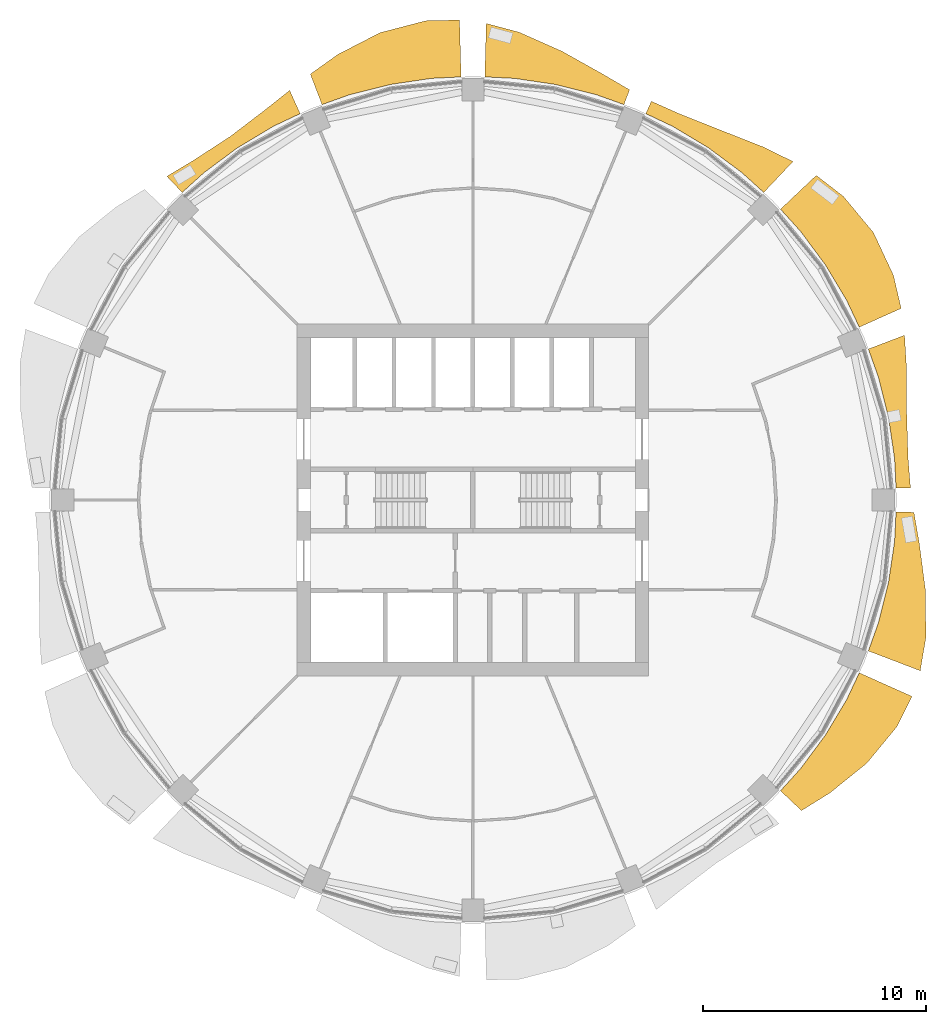
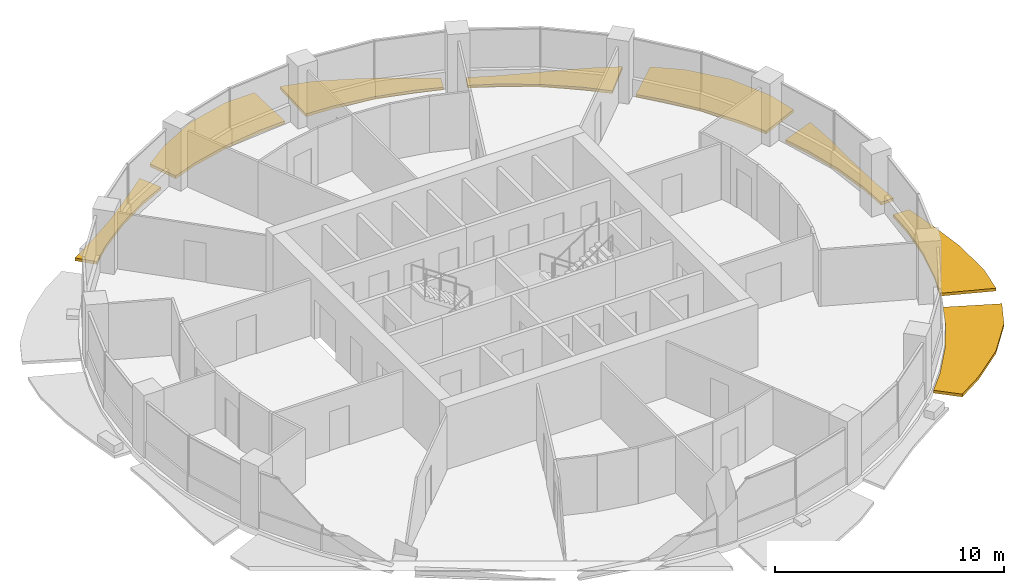
# One storey, part 14 of 15: 8 shading devices.
"""IFC4 building model written with IfcOpenShell, lengths in metres."""

from ifc_helpers import new_model, si_unit, direction, frame, origin, place, context, subcontext, project, spatial, polyline, outline, extrude, material, type_object, element, save


model = new_model("IFC4")

# Units and contexts
model_context = context("Model", 3, precision=1e-05, world=origin(), true_north=direction((0.0, 1.0)))
body_context = subcontext(model_context, "Body", "Model", "MODEL_VIEW")
ifc_project = project(units=[si_unit("LENGTHUNIT", "METRE"), si_unit("AREAUNIT", "SQUARE_METRE"), si_unit("VOLUMEUNIT", "CUBIC_METRE"), si_unit("PLANEANGLEUNIT", "RADIAN"), si_unit("MASSUNIT", "GRAM", prefix="KILO")], contexts=[model_context])

# Site, building, storey
site_placement = place(None, origin())
site = spatial("IfcSite", under=ifc_project, at=site_placement, CompositionType="ELEMENT")
building_placement = place(site_placement, origin())
building = spatial("IfcBuilding", under=site, at=building_placement, Name="Polderwave Tower", CompositionType="ELEMENT")
storey_placement = place(building_placement, frame((0.0, 0.0, 137.699951171875)))
storey = spatial("IfcBuildingStorey", under=building, at=storey_placement, Name="L36", CompositionType="ELEMENT", Elevation=137.699951171875)

# Shading devices
ifc_material = material(Name="Terracotta", Category="masonry")
shading_device_type = type_object("IfcShadingDeviceType", Name="Terracotta sunshade band", PredefinedType="USERDEFINED", material=ifc_material)
shading_device_1_placement = place(storey_placement, frame((0.0, 0.0, -0.349853515625)))
element("IfcShadingDevice", 1, at=shading_device_1_placement, inside=storey, type_object=shading_device_type, Name="Sunshade band L36 1", ObjectType="SUNSHADE", PredefinedType="USERDEFINED", context=body_context, shape_type="SweptSolid", body=[
    extrude(outline(polyline([(18.9541015625, 0.530029296875), (18.888671875, 1.8603515625), (18.615234375, 3.702880859375), (18.16259765625, 5.509521484375), (17.714111328125, 6.763671875), (19.336669921875, 7.38330078125), (19.42578125, 5.892822265625), (19.43310546875, 3.865478515625), (19.49169921875, 1.919921875), (19.60205078125, 0.548095703125), (18.9541015625, 0.530029296875)])), origin(), (0.0, 0.0, 1.0), 0.14990234375),
])
shading_device_2_placement = place(storey_placement, frame((0.0, 0.0, -0.349853515625)))
element("IfcShadingDevice", 2, at=shading_device_2_placement, inside=storey, type_object=shading_device_type, Name="Sunshade band L36 2", ObjectType="SUNSHADE", PredefinedType="USERDEFINED", context=body_context, shape_type="SweptSolid", body=[
    extrude(outline(polyline([(17.308349609375, 7.7431640625), (16.739013671875, 8.947021484375), (15.78125, 10.544677734375), (14.671630859375, 12.040771484375), (13.77734375, 13.027587890625), (15.37841796875, 14.541748046875), (16.58642578125, 13.612060546875), (17.93994140625, 11.987060546875), (18.837646484375, 10.06884765625), (19.1845703125, 8.58251953125), (17.308349609375, 7.7431640625)])), origin(), (0.0, 0.0, 1.0), 0.14990234375),
])
shading_device_3_placement = place(storey_placement, frame((0.0, 0.0, -0.349853515625)))
element("IfcShadingDevice", 3, at=shading_device_3_placement, inside=storey, type_object=shading_device_type, Name="Sunshade band L36 3", ObjectType="SUNSHADE", PredefinedType="USERDEFINED", context=body_context, shape_type="SweptSolid", body=[
    extrude(outline(polyline([(13.027587890625, 13.77734375), (12.040771484375, 14.671630859375), (10.544677734375, 15.78125), (8.947021484375, 16.739013671875), (7.7431640625, 17.308349609375), (7.991943359375, 17.864501953125), (9.248779296875, 17.30322265625), (11.07666015625, 16.577392578125), (12.98681640625, 15.82470703125), (14.338134765625, 15.1630859375), (13.027587890625, 13.77734375)])), origin(), (0.0, 0.0, 1.0), 0.14990234375),
])
shading_device_4_placement = place(storey_placement, frame((0.0, 0.0, -0.349853515625)))
element("IfcShadingDevice", 4, at=shading_device_4_placement, inside=storey, type_object=shading_device_type, Name="Sunshade band L36 4", ObjectType="SUNSHADE", PredefinedType="USERDEFINED", context=body_context, shape_type="SweptSolid", body=[
    extrude(outline(polyline([(6.763671875, 17.714111328125), (5.509521484375, 18.16259765625), (3.702880859375, 18.615234375), (1.8603515625, 18.888671875), (0.530029296875, 18.9541015625), (0.596923828125, 21.350341796875), (2.064208984375, 20.959228515625), (3.997802734375, 20.098876953125), (5.792236328125, 19.0947265625), (7.016845703125, 18.377197265625), (6.763671875, 17.714111328125)])), origin(), (0.0, 0.0, 1.0), 0.14990234375),
])
shading_device_5_placement = place(storey_placement, frame((0.0, 0.0, -0.349853515625)))
element("IfcShadingDevice", 5, at=shading_device_5_placement, inside=storey, type_object=shading_device_type, Name="Sunshade band L36 5", ObjectType="SUNSHADE", PredefinedType="USERDEFINED", context=body_context, shape_type="SweptSolid", body=[
    extrude(outline(polyline([(-0.530029296875, 18.9541015625), (-1.8603515625, 18.888671875), (-3.702880859375, 18.615234375), (-5.509521484375, 18.16259765625), (-6.763671875, 17.714111328125), (-7.28564453125, 19.080810546875), (-6.055419921875, 19.9619140625), (-4.164306640625, 20.93603515625), (-2.114501953125, 21.47021484375), (-0.601318359375, 21.50439453125), (-0.530029296875, 18.9541015625)])), origin(), (0.0, 0.0, 1.0), 0.14990234375),
])
shading_device_6_placement = place(storey_placement, frame((0.0, 0.0, -0.349853515625)))
element("IfcShadingDevice", 6, at=shading_device_6_placement, inside=storey, type_object=shading_device_type, Name="Sunshade band L36 6", ObjectType="SUNSHADE", PredefinedType="USERDEFINED", context=body_context, shape_type="SweptSolid", body=[
    extrude(outline(polyline([(-7.7431640625, 17.308349609375), (-8.947021484375, 16.739013671875), (-10.544677734375, 15.78125), (-12.040771484375, 14.671630859375), (-13.027587890625, 13.77734375), (-13.71240234375, 14.501220703125), (-12.49951171875, 15.230712890625), (-10.880126953125, 16.283447265625), (-9.333740234375, 17.46240234375), (-8.21044921875, 18.35302734375), (-7.7431640625, 17.308349609375)])), origin(), (0.0, 0.0, 1.0), 0.14990234375),
])
shading_device_7_placement = place(storey_placement, frame((0.0, 0.0, -0.349853515625)))
element("IfcShadingDevice", 7, at=shading_device_7_placement, inside=storey, type_object=shading_device_type, Name="Sunshade band L36 15", ObjectType="SUNSHADE", PredefinedType="USERDEFINED", context=body_context, shape_type="SweptSolid", body=[
    extrude(outline(polyline([(13.77734375, -13.027587890625), (14.671630859375, -12.040771484375), (15.78125, -10.544677734375), (16.739013671875, -8.947021484375), (17.308349609375, -7.7431640625), (19.673095703125, -8.80078125), (18.99658203125, -10.15380859375), (17.64599609375, -11.79052734375), (15.992431640625, -13.124755859375), (14.71630859375, -13.915771484375), (13.77734375, -13.027587890625)])), origin(), (0.0, 0.0, 1.0), 0.14990234375),
])
shading_device_8_placement = place(storey_placement, frame((0.0, 0.0, -0.349853515625)))
element("IfcShadingDevice", 8, at=shading_device_8_placement, inside=storey, type_object=shading_device_type, Name="Sunshade band L36 16", ObjectType="SUNSHADE", PredefinedType="USERDEFINED", context=body_context, shape_type="SweptSolid", body=[
    extrude(outline(polyline([(17.714111328125, -6.763671875), (18.16259765625, -5.509521484375), (18.615234375, -3.702880859375), (18.888671875, -1.8603515625), (18.9541015625, -0.530029296875), (19.75634765625, -0.552490234375), (20.00244140625, -1.97021484375), (20.270263671875, -4.031982421875), (20.29296875, -6.15576171875), (20.040283203125, -7.652099609375), (17.714111328125, -6.763671875)])), origin(), (0.0, 0.0, 1.0), 0.14990234375),
])

save(model, "model.ifc")
